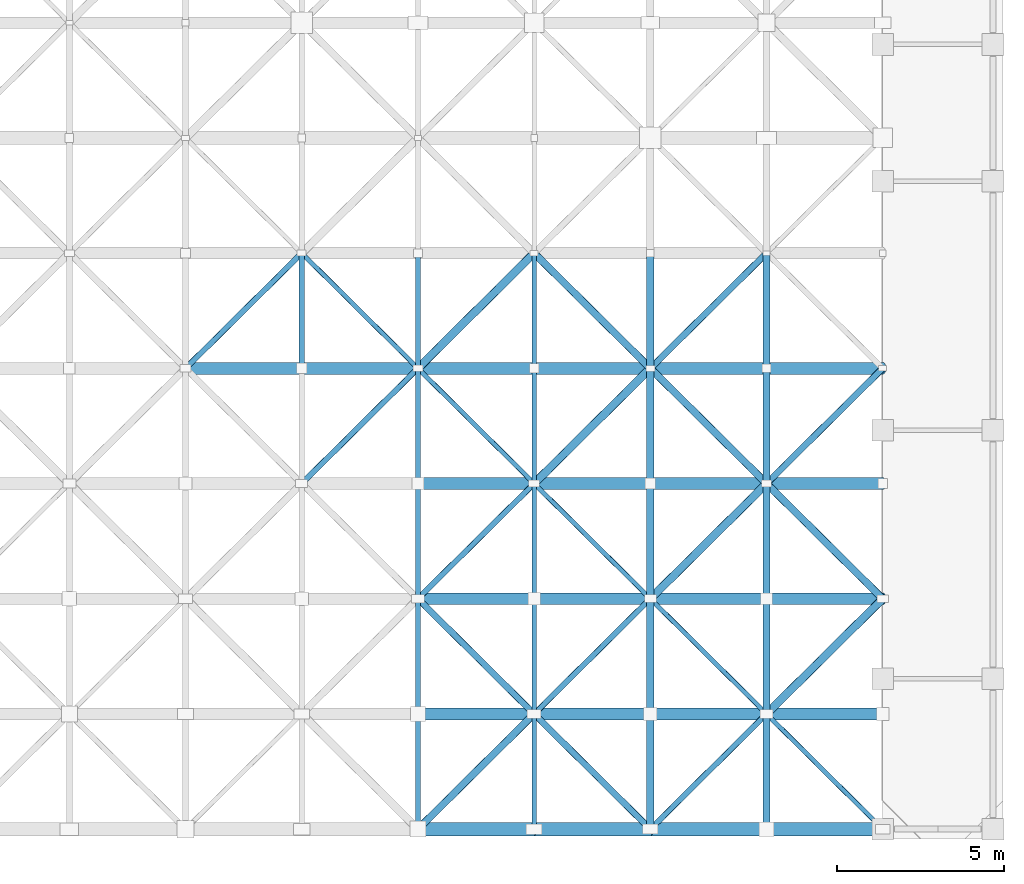
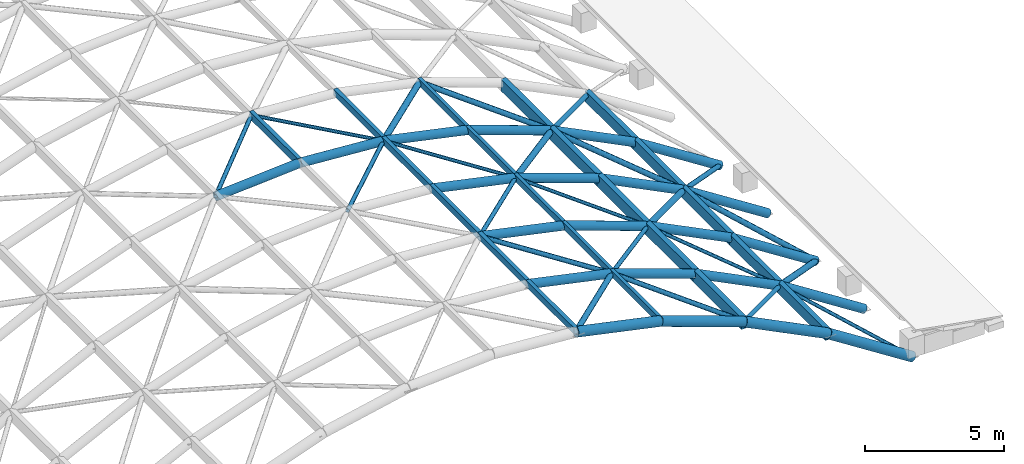
# One storey, part 21 of 52: 65 members.
"""IFC4 building model written with IfcOpenShell, lengths in metres."""

import ifcopenshell
import ifcopenshell.guid

model = None  # the IFC model being written
_history = None  # IfcOwnerHistory: only IFC2X3 demands one
_inside = {}  # id of a spatial element -> (the spatial element, [elements in it])
_under = {}  # id of a project, library or spatial element -> (it, [spatial elements below it])
_declared = {}  # id of a project -> (the project, [libraries it declares])
_typed = {}  # id of a type object -> (the type object, [elements of that type])
_made_of = {}  # id of a material, layer set ... -> (it, [elements and type objects made of it])


def new_model(schema):
    """Start an empty IFC model of exactly this schema.

    Asked for "IFC4X3", IfcOpenShell would pick the latest addendum, in which some entities
    have other attributes; the version numbers below select the first issue.
    IFC2X3 requires an IfcOwnerHistory on every rooted entity: one is made here for all.
    """
    global model, _history
    if schema == "IFC4X3":
        model = ifcopenshell.file(schema_version=(4, 3, 0, 0))
    else:
        model = ifcopenshell.file(schema=schema)
    _inside.clear()
    _under.clear()
    _declared.clear()
    _typed.clear()
    _made_of.clear()
    _history = None
    if model.schema == "IFC2X3":
        org = make("IfcOrganization", Name="unknown")
        user = make(
            "IfcPersonAndOrganization",
            ThePerson=make("IfcPerson", FamilyName="unknown"),
            TheOrganization=org,
        )
        app = make(
            "IfcApplication",
            ApplicationDeveloper=org,
            Version="unknown",
            ApplicationFullName="unknown",
            ApplicationIdentifier="unknown",
        )
        _history = make(
            "IfcOwnerHistory",
            OwningUser=user,
            OwningApplication=app,
            ChangeAction="ADDED",
            CreationDate=0,
        )
    return model


def make(cls, **values):
    """One entity of the class cls with the attributes given. An attribute that is None is left unset."""
    return model.create_entity(
        cls, **{name: value for name, value in values.items() if value is not None}
    )


def rooted(cls, **values):
    """An entity with a GlobalId (a new one), such as an element, a storey or a relation."""
    return make(cls, GlobalId=ifcopenshell.guid.new(), OwnerHistory=_history, **values)


def si_unit(unit_type, name, prefix=None):
    """IfcSIUnit, for example si_unit("LENGTHUNIT", "METRE", prefix="MILLI")."""
    return make("IfcSIUnit", UnitType=unit_type, Prefix=prefix, Name=name)


def assignment(units):
    """IfcUnitAssignment: the units of a project."""
    return None if units is None else make("IfcUnitAssignment", Units=units)


def point(xyz):
    """IfcCartesianPoint."""
    return None if xyz is None else make("IfcCartesianPoint", Coordinates=xyz)


def direction(xyz):
    """IfcDirection."""
    return None if xyz is None else make("IfcDirection", DirectionRatios=xyz)


def frame(location, z_axis=None, x_axis=None):
    """IfcAxis2Placement3D, a coordinate frame: its origin and axes. An axis left out is left unset."""
    return make(
        "IfcAxis2Placement3D",
        Location=point(location),
        Axis=direction(z_axis),
        RefDirection=direction(x_axis),
    )


def frame_2d(location, x_axis=None):
    """IfcAxis2Placement2D, a coordinate frame in the plane: its origin and x axis."""
    return make(
        "IfcAxis2Placement2D", Location=point(location), RefDirection=direction(x_axis)
    )


def origin():
    """The frame at (0, 0, 0) with its axes left unset."""
    return frame((0.0, 0.0, 0.0))


def origin_2d():
    """The frame at (0, 0) in the plane with its x axis left unset."""
    return frame_2d((0.0, 0.0))


def place(relative_to, where):
    """IfcLocalPlacement: puts the frame where relative to a parent placement (None: the world)."""
    return make(
        "IfcLocalPlacement", PlacementRelTo=relative_to, RelativePlacement=where
    )


def context(
    kind, dimensions, precision=None, world=None, true_north=None, identifier=None
):
    """IfcGeometricRepresentationContext, for example the 3D "Model" context."""
    return make(
        "IfcGeometricRepresentationContext",
        ContextIdentifier=identifier,
        ContextType=kind,
        CoordinateSpaceDimension=dimensions,
        Precision=precision,
        WorldCoordinateSystem=world,
        TrueNorth=true_north,
    )


def subcontext(parent, identifier, kind, view, scale=None):
    """IfcGeometricRepresentationSubContext, for example "Body" below "Model"."""
    return make(
        "IfcGeometricRepresentationSubContext",
        ContextIdentifier=identifier,
        ContextType=kind,
        ParentContext=parent,
        TargetScale=scale,
        TargetView=view,
    )


def project(units=None, contexts=None):
    """IfcProject with its units and contexts."""
    return rooted(
        "IfcProject",
        Name="project",
        RepresentationContexts=contexts,
        UnitsInContext=assignment(units),
    )


def spatial(cls, under=None, at=None, **own):
    """A site, building, storey or space (cls), placed at a placement, below another one or the project."""
    s = rooted(cls, ObjectPlacement=at, **own)
    if under is not None:
        _under.setdefault(under.id(), (under, []))[1].append(s)
    return s


def profile(cls, at=None, kind="AREA", **sizes):
    """A parametric profile (cls). Its sizes go by their IFC names, for example OverallWidth=200.0."""
    return make(cls, ProfileType=kind, Position=at, **sizes)


def rectangle(**sizes):
    """IfcRectangleProfileDef."""
    return profile("IfcRectangleProfileDef", **sizes)


def hollow_circle(**sizes):
    """IfcCircleHollowProfileDef."""
    return profile("IfcCircleHollowProfileDef", **sizes)


def extrude(swept, where, along, depth):
    """IfcExtrudedAreaSolid: the profile swept, set in the frame where, extruded along a direction by depth."""
    return make(
        "IfcExtrudedAreaSolid",
        SweptArea=swept,
        Position=where,
        ExtrudedDirection=direction(along),
        Depth=depth,
    )


def shape(context_of_items, identifier, shape_type, items):
    """IfcShapeRepresentation: the items that make up one representation, for example the "Body"."""
    return make(
        "IfcShapeRepresentation",
        ContextOfItems=context_of_items,
        RepresentationIdentifier=identifier,
        RepresentationType=shape_type,
        Items=items,
    )


def material(Name=None, Category=None):
    """IfcMaterial."""
    return make("IfcMaterial", Name=Name, Category=Category)


def material_profile(
    of_material, cross_section, Name=None, Category=None, Priority=None
):
    """IfcMaterialProfile: a cross section and its material."""
    return make(
        "IfcMaterialProfile",
        Name=Name,
        Material=of_material,
        Profile=cross_section,
        Priority=Priority,
        Category=Category,
    )


def profile_set(profiles, Name=None, composite=None):
    """IfcMaterialProfileSet."""
    return make(
        "IfcMaterialProfileSet",
        Name=Name,
        MaterialProfiles=profiles,
        CompositeProfile=composite,
    )


def made_of(thing, what):
    """Note that an element or type object is made of a material, layer set ...; save() writes the relation."""
    if what is not None:
        _made_of.setdefault(what.id(), (what, []))[1].append(thing)
    return thing


def type_object(cls, material=None, **own):
    """A type object (cls), such as IfcWallType, which elements share."""
    return made_of(rooted(cls, **own), material)


def element(
    cls,
    number,
    at=None,
    inside=None,
    cuts=None,
    type_object=None,
    material=None,
    context=None,
    identifier="Body",
    shape_type=None,
    held_by="IfcProductDefinitionShape",
    body=None,
    shapes=None,
    **own,
):
    """One element of the class cls, such as IfcWall. Its Tag is "e" and its number.

    at: its placement. inside: the storey or other place that contains it. cuts: it is an
    opening in that element (IfcRelVoidsElement). A single representation is given by context,
    identifier, shape_type and body (its items); several are given by shapes. held_by: the class
    of the entity that holds the representations. save() writes the other relations.
    """
    e = rooted(cls, Tag="e%d" % number, ObjectPlacement=at, **own)
    if body is not None:
        shapes = [shape(context, identifier, shape_type, body)]
    if shapes is not None:
        e.Representation = make(held_by, Representations=shapes)
    if inside is not None:
        _inside.setdefault(inside.id(), (inside, []))[1].append(e)
    if cuts is not None:
        rooted(
            "IfcRelVoidsElement", RelatingBuildingElement=cuts, RelatedOpeningElement=e
        )
    if type_object is not None:
        _typed.setdefault(type_object.id(), (type_object, []))[1].append(e)
    return made_of(e, material)


def aggregate(whole, parts):
    """IfcRelAggregates: a whole, such as a stair, and the parts it consists of."""
    return rooted("IfcRelAggregates", RelatingObject=whole, RelatedObjects=parts)


def save(model, path):
    """Write the relations noted so far, then the file.

    IfcRelAggregates (storeys below a building ...), IfcRelContainedInSpatialStructure (elements
    in a storey), IfcRelDefinesByType, IfcRelAssociatesMaterial and IfcRelDeclares: one each for
    every whole, place, type object, material and project.
    """
    for whole, parts in _under.values():
        aggregate(whole, parts)
    for where, things in _inside.values():
        rooted(
            "IfcRelContainedInSpatialStructure",
            RelatedElements=things,
            RelatingStructure=where,
        )
    for kind, things in _typed.values():
        rooted("IfcRelDefinesByType", RelatedObjects=things, RelatingType=kind)
    for what, things in _made_of.values():
        rooted("IfcRelAssociatesMaterial", RelatedObjects=things, RelatingMaterial=what)
    for by, libraries in _declared.values():
        rooted("IfcRelDeclares", RelatingContext=by, RelatedDefinitions=libraries)
    model.write(path)


model = new_model("IFC4")

# Units and contexts
model_context = context("Model", 3, precision=1e-05, world=origin(), true_north=direction((0.0, 1.0)))
body_context = subcontext(model_context, "Body", "Model", "MODEL_VIEW")
ifc_project = project(units=[si_unit("LENGTHUNIT", "METRE"), si_unit("AREAUNIT", "SQUARE_METRE"), si_unit("VOLUMEUNIT", "CUBIC_METRE"), si_unit("PLANEANGLEUNIT", "RADIAN"), si_unit("MASSUNIT", "GRAM", prefix="KILO")], contexts=[model_context])

# Site, building, storey
site_placement = place(None, origin())
site = spatial("IfcSite", under=ifc_project, at=site_placement, CompositionType="ELEMENT")
building_placement = place(site_placement, origin())
building = spatial("IfcBuilding", under=site, at=building_placement, Name="Candilejo Ridge Gondola Terminal", CompositionType="ELEMENT")
storey_placement = place(building_placement, frame((0.0, 0.0, 18.60009765625)))
storey = spatial("IfcBuildingStorey", under=building, at=storey_placement, Name="L04", CompositionType="ELEMENT", Elevation=18.60009765625)

# Members
ifc_material_1 = material(Name="Steel ASTM A500 Grade C", Category="steel")
ifc_material_profile_1 = material_profile(ifc_material_1, hollow_circle(Radius=0.06982421875, WallThickness=0.00634765625, at=origin_2d()))
ifc_profile_set_1 = profile_set([ifc_material_profile_1], Name="Steel ASTM A500 Grade C")
member_type_1 = type_object("IfcMemberType", Name="STR-BRC-CHS140", PredefinedType="BRACE", material=ifc_profile_set_1)
member_1_placement = place(storey_placement, frame((172.0, 6.300048828125, -0.2001953125), z_axis=(-0.646271368564, 0.640694591636, 0.414540418323), x_axis=(-0.704036083414, -0.710164201612, 0.0)))
element("IfcMember", 1, at=member_1_placement, inside=storey, type_object=member_type_1, Name="Barrel diagrid diagonal 01-10", PredefinedType="BRACE", context=body_context, shape_type="SweptSolid", body=[
    extrude(hollow_circle(Radius=0.06982421875, WallThickness=0.00634765625, at=origin_2d()), origin(), (0.0, 0.0, 1.0), 5.384765625),
])
member_2_placement = place(storey_placement, frame((168.52001953125, 9.75, 2.031982421875), z_axis=(-0.669405688246, 0.663629281647, 0.333904478983), x_axis=(-0.704036083414, -0.710164201612, 0.0)))
element("IfcMember", 2, at=member_2_placement, inside=storey, type_object=member_type_1, Name="Barrel diagrid diagonal 02-09", PredefinedType="BRACE", context=body_context, shape_type="SweptSolid", body=[
    extrude(hollow_circle(Radius=0.06982421875, WallThickness=0.00634765625, at=origin_2d()), origin(), (0.0, 0.0, 1.0), 5.19873046875),
])
member_3_placement = place(storey_placement, frame((165.0400390625, 13.199951171875, 3.767822265625), z_axis=(-0.688464148289, 0.682523283252, 0.24531425629), x_axis=(-0.704036083414, -0.710164201612, 0.0)))
element("IfcMember", 3, at=member_3_placement, inside=storey, type_object=member_type_1, Name="Barrel diagrid diagonal 03-08", PredefinedType="BRACE", context=body_context, shape_type="SweptSolid", body=[
    extrude(hollow_circle(Radius=0.06982421875, WallThickness=0.00634765625, at=origin_2d()), origin(), (0.0, 0.0, 1.0), 5.0546875),
])
member_4_placement = place(storey_placement, frame((161.56005859375, 16.64990234375, 5.0078125), z_axis=(-0.702090616131, 0.696081421858, 0.150131345445), x_axis=(-0.70406120903, -0.710139291927, 0.0)))
element("IfcMember", 4, at=member_4_placement, inside=storey, type_object=member_type_1, Name="Barrel diagrid diagonal 04-07", PredefinedType="BRACE", context=body_context, shape_type="SweptSolid", body=[
    extrude(hollow_circle(Radius=0.06982421875, WallThickness=0.00634765625, at=origin_2d()), origin(), (0.0, 0.0, 1.0), 4.95654296875),
])
member_5_placement = place(storey_placement, frame((158.080078125, 20.10009765625, 5.751953125), z_axis=(-0.709256116362, 0.703135834174, 0.050554526043), x_axis=(-0.704036083414, -0.710164201612, 0.0)))
element("IfcMember", 5, at=member_5_placement, inside=storey, type_object=member_type_1, Name="Barrel diagrid diagonal 05-06", PredefinedType="BRACE", context=body_context, shape_type="SweptSolid", body=[
    extrude(hollow_circle(Radius=0.06982421875, WallThickness=0.00634765625, at=origin_2d()), origin(), (0.0, 0.0, 1.0), 4.906494140625),
])
ifc_material_2 = material(Name="Steel ASTM A500 Grade C", Category="steel")
ifc_material_profile_2 = material_profile(ifc_material_2, hollow_circle(Radius=0.084228515625, WallThickness=0.007080078125, at=origin_2d()))
ifc_profile_set_2 = profile_set([ifc_material_profile_2], Name="Steel ASTM A500 Grade C")
member_type_2 = type_object("IfcMemberType", Name="STR-BRC-CHS168", PredefinedType="BRACE", material=ifc_profile_set_2)
member_6_placement = place(storey_placement, frame((165.0400390625, 6.300048828125, 3.767822265625), z_axis=(0.669405688246, 0.663629281647, -0.333904478983), x_axis=(-0.704036083414, 0.710164201612, 0.0)))
element("IfcMember", 6, at=member_6_placement, inside=storey, type_object=member_type_2, Name="Barrel diagrid diagonal 01-09", PredefinedType="BRACE", context=body_context, shape_type="SweptSolid", body=[
    extrude(hollow_circle(Radius=0.084228515625, WallThickness=0.007080078125, at=origin_2d()), origin(), (0.0, 0.0, 1.0), 5.19873046875),
])
member_7_placement = place(storey_placement, frame((161.56005859375, 9.75, 5.0078125), z_axis=(0.688464148289, 0.682523283252, -0.24531425629), x_axis=(-0.704036083414, 0.710164201612, 0.0)))
element("IfcMember", 7, at=member_7_placement, inside=storey, type_object=member_type_2, Name="Barrel diagrid diagonal 02-08", PredefinedType="BRACE", context=body_context, shape_type="SweptSolid", body=[
    extrude(hollow_circle(Radius=0.084228515625, WallThickness=0.007080078125, at=origin_2d()), origin(), (0.0, 0.0, 1.0), 5.0546875),
])
member_8_placement = place(storey_placement, frame((158.080078125, 13.199951171875, 5.751953125), z_axis=(0.702114688376, 0.696056030689, -0.150136492926), x_axis=(-0.704036083414, 0.710164201612, 0.0)))
element("IfcMember", 8, at=member_8_placement, inside=storey, type_object=member_type_2, Name="Barrel diagrid diagonal 03-07", PredefinedType="BRACE", context=body_context, shape_type="SweptSolid", body=[
    extrude(hollow_circle(Radius=0.084228515625, WallThickness=0.007080078125, at=origin_2d()), origin(), (0.0, 0.0, 1.0), 4.95654296875),
])
member_9_placement = place(storey_placement, frame((154.60009765625, 16.64990234375, 6.0), z_axis=(0.709231302108, 0.703160990696, -0.050552757327), x_axis=(-0.70406120903, 0.710139291927, 0.0)))
element("IfcMember", 9, at=member_9_placement, inside=storey, type_object=member_type_2, Name="Barrel diagrid diagonal 04-06", PredefinedType="BRACE", context=body_context, shape_type="SweptSolid", body=[
    extrude(hollow_circle(Radius=0.084228515625, WallThickness=0.007080078125, at=origin_2d()), origin(), (0.0, 0.0, 1.0), 4.90673828125),
])
member_10_placement = place(storey_placement, frame((151.1201171875, 20.10009765625, 5.751953125), z_axis=(0.709256116362, 0.703135834174, 0.050554526043), x_axis=(-0.704036083414, 0.710164201612, 0.0)))
element("IfcMember", 10, at=member_10_placement, inside=storey, type_object=member_type_2, Name="Barrel diagrid diagonal 05-05", PredefinedType="BRACE", context=body_context, shape_type="SweptSolid", body=[
    extrude(hollow_circle(Radius=0.084228515625, WallThickness=0.007080078125, at=origin_2d()), origin(), (0.0, 0.0, 1.0), 4.906494140625),
])
ifc_material_3 = material(Name="Steel ASTM A500 Grade C", Category="steel")
ifc_material_profile_3 = material_profile(ifc_material_3, hollow_circle(Radius=0.096923828125, WallThickness=0.0078125, at=origin_2d()))
ifc_profile_set_3 = profile_set([ifc_material_profile_3], Name="Steel ASTM A500 Grade C")
member_type_3 = type_object("IfcMemberType", Name="STR-BRC-CHS193", PredefinedType="BRACE", material=ifc_profile_set_3)
member_11_placement = place(storey_placement, frame((165.0400390625, 6.300048828125, 3.767822265625), z_axis=(-0.688464148289, 0.682523283252, 0.24531425629), x_axis=(-0.704036083414, -0.710164201612, 0.0)))
element("IfcMember", 11, at=member_11_placement, inside=storey, type_object=member_type_3, Name="Barrel diagrid diagonal 01-08", PredefinedType="BRACE", context=body_context, shape_type="SweptSolid", body=[
    extrude(hollow_circle(Radius=0.096923828125, WallThickness=0.0078125, at=origin_2d()), origin(), (0.0, 0.0, 1.0), 5.0546875),
])
member_12_placement = place(storey_placement, frame((161.56005859375, 9.75, 5.0078125), z_axis=(-0.702114688376, 0.696056030689, 0.150136492926), x_axis=(-0.704036083414, -0.710164201612, 0.0)))
element("IfcMember", 12, at=member_12_placement, inside=storey, type_object=member_type_3, Name="Barrel diagrid diagonal 02-07", PredefinedType="BRACE", context=body_context, shape_type="SweptSolid", body=[
    extrude(hollow_circle(Radius=0.096923828125, WallThickness=0.0078125, at=origin_2d()), origin(), (0.0, 0.0, 1.0), 4.95654296875),
])
member_13_placement = place(storey_placement, frame((168.52001953125, 16.64990234375, 2.031982421875), z_axis=(0.646252595266, 0.640721318668, -0.414528376492), x_axis=(-0.70406120903, 0.710139291927, 0.0)))
element("IfcMember", 13, at=member_13_placement, inside=storey, type_object=member_type_3, Name="Barrel diagrid diagonal 04-10", PredefinedType="BRACE", context=body_context, shape_type="SweptSolid", body=[
    extrude(hollow_circle(Radius=0.096923828125, WallThickness=0.0078125, at=origin_2d()), origin(), (0.0, 0.0, 1.0), 5.384765625),
])
member_14_placement = place(storey_placement, frame((165.0400390625, 20.10009765625, 3.767822265625), z_axis=(0.669405688246, 0.663629281647, -0.333904478983), x_axis=(-0.704036083414, 0.710164201612, 0.0)))
element("IfcMember", 14, at=member_14_placement, inside=storey, type_object=member_type_3, Name="Barrel diagrid diagonal 05-09", PredefinedType="BRACE", context=body_context, shape_type="SweptSolid", body=[
    extrude(hollow_circle(Radius=0.096923828125, WallThickness=0.0078125, at=origin_2d()), origin(), (0.0, 0.0, 1.0), 5.19873046875),
])
ifc_material_4 = material(Name="Steel ASTM A500 Grade C", Category="steel")
ifc_material_profile_4 = material_profile(ifc_material_4, hollow_circle(Radius=0.109619140625, WallThickness=0.00830078125, at=origin_2d()))
ifc_profile_set_4 = profile_set([ifc_material_profile_4], Name="Steel ASTM A500 Grade C")
member_type_4 = type_object("IfcMemberType", Name="STR-BRC-CHS219", PredefinedType="BRACE", material=ifc_profile_set_4)
member_15_placement = place(storey_placement, frame((158.080078125, 6.300048828125, 5.751953125), z_axis=(0.702114688376, 0.696056030689, -0.150136492926), x_axis=(-0.704036083414, 0.710164201612, 0.0)))
element("IfcMember", 15, at=member_15_placement, inside=storey, type_object=member_type_4, Name="Barrel diagrid diagonal 01-07", PredefinedType="BRACE", context=body_context, shape_type="SweptSolid", body=[
    extrude(hollow_circle(Radius=0.109619140625, WallThickness=0.00830078125, at=origin_2d()), origin(), (0.0, 0.0, 1.0), 4.95654296875),
])
member_16_placement = place(storey_placement, frame((172.0, 13.199951171875, -0.2001953125), z_axis=(-0.646271368564, 0.640694591636, 0.414540418323), x_axis=(-0.704036083414, -0.710164201612, 0.0)))
element("IfcMember", 16, at=member_16_placement, inside=storey, type_object=member_type_4, Name="Barrel diagrid diagonal 03-10", PredefinedType="BRACE", context=body_context, shape_type="SweptSolid", body=[
    extrude(hollow_circle(Radius=0.109619140625, WallThickness=0.00830078125, at=origin_2d()), origin(), (0.0, 0.0, 1.0), 5.384765625),
])
member_17_placement = place(storey_placement, frame((168.52001953125, 16.64990234375, 2.031982421875), z_axis=(-0.669384825923, 0.663655560541, 0.333894072704), x_axis=(-0.70406120903, -0.710139291927, 0.0)))
element("IfcMember", 17, at=member_17_placement, inside=storey, type_object=member_type_4, Name="Barrel diagrid diagonal 04-09", PredefinedType="BRACE", context=body_context, shape_type="SweptSolid", body=[
    extrude(hollow_circle(Radius=0.109619140625, WallThickness=0.00830078125, at=origin_2d()), origin(), (0.0, 0.0, 1.0), 5.19873046875),
])
member_18_placement = place(storey_placement, frame((165.0400390625, 20.10009765625, 3.767822265625), z_axis=(-0.688464148289, 0.682523283252, 0.24531425629), x_axis=(-0.704036083414, -0.710164201612, 0.0)))
element("IfcMember", 18, at=member_18_placement, inside=storey, type_object=member_type_4, Name="Barrel diagrid diagonal 05-08", PredefinedType="BRACE", context=body_context, shape_type="SweptSolid", body=[
    extrude(hollow_circle(Radius=0.109619140625, WallThickness=0.00830078125, at=origin_2d()), origin(), (0.0, 0.0, 1.0), 5.0546875),
])
ifc_material_5 = material(Name="Steel ASTM A500 Grade C", Category="steel")
ifc_material_profile_5 = material_profile(ifc_material_5, hollow_circle(Radius=0.122314453125, WallThickness=0.0087890625, at=origin_2d()))
ifc_profile_set_5 = profile_set([ifc_material_profile_5], Name="Steel ASTM A500 Grade C")
member_type_5 = type_object("IfcMemberType", Name="STR-BRC-CHS244", PredefinedType="BRACE", material=ifc_profile_set_5)
member_19_placement = place(storey_placement, frame((168.52001953125, 9.75, 2.031982421875), z_axis=(0.646271368564, 0.640694591636, -0.414540418323), x_axis=(-0.704036083414, 0.710164201612, 0.0)))
element("IfcMember", 19, at=member_19_placement, inside=storey, type_object=member_type_5, Name="Barrel diagrid diagonal 02-10", PredefinedType="BRACE", context=body_context, shape_type="SweptSolid", body=[
    extrude(hollow_circle(Radius=0.122314453125, WallThickness=0.0087890625, at=origin_2d()), origin(), (0.0, 0.0, 1.0), 5.384765625),
])
member_20_placement = place(storey_placement, frame((165.0400390625, 13.199951171875, 3.767822265625), z_axis=(0.669405688246, 0.663629281647, -0.333904478983), x_axis=(-0.704036083414, 0.710164201612, 0.0)))
element("IfcMember", 20, at=member_20_placement, inside=storey, type_object=member_type_5, Name="Barrel diagrid diagonal 03-09", PredefinedType="BRACE", context=body_context, shape_type="SweptSolid", body=[
    extrude(hollow_circle(Radius=0.122314453125, WallThickness=0.0087890625, at=origin_2d()), origin(), (0.0, 0.0, 1.0), 5.19873046875),
])
member_21_placement = place(storey_placement, frame((161.56005859375, 16.64990234375, 5.0078125), z_axis=(0.688441452919, 0.682549081848, -0.245306169453), x_axis=(-0.70406120903, 0.710139291927, 0.0)))
element("IfcMember", 21, at=member_21_placement, inside=storey, type_object=member_type_5, Name="Barrel diagrid diagonal 04-08", PredefinedType="BRACE", context=body_context, shape_type="SweptSolid", body=[
    extrude(hollow_circle(Radius=0.122314453125, WallThickness=0.0087890625, at=origin_2d()), origin(), (0.0, 0.0, 1.0), 5.054931640625),
])
member_22_placement = place(storey_placement, frame((158.080078125, 20.10009765625, 5.751953125), z_axis=(0.702114688376, 0.696056030689, -0.150136492926), x_axis=(-0.704036083414, 0.710164201612, 0.0)))
element("IfcMember", 22, at=member_22_placement, inside=storey, type_object=member_type_5, Name="Barrel diagrid diagonal 05-07", PredefinedType="BRACE", context=body_context, shape_type="SweptSolid", body=[
    extrude(hollow_circle(Radius=0.122314453125, WallThickness=0.0087890625, at=origin_2d()), origin(), (0.0, 0.0, 1.0), 4.95654296875),
])
ifc_material_6 = material(Name="Glulam GL28h", Category="wood")
ifc_material_profile_6 = material_profile(ifc_material_6, rectangle(XDim=0.139892578125, YDim=0.280029296875, at=origin_2d()))
ifc_profile_set_6 = profile_set([ifc_material_profile_6], Name="Glulam GL28h")
member_type_6 = type_object("IfcMemberType", Name="STR-PUR-GL140X280", PredefinedType="PURLIN", material=ifc_profile_set_6)
for number, where, z_axis, x_axis, name in (
    (23, (161.56005859375, 6.300048828125, 5.06787109375), (0.0, 1.0, 0.0), (-1.0, 0.0, 0.0), "Glulam roof purlin 01-07"),
    (24, (161.56005859375, 9.75, 5.06787109375), (0.0, 1.0, 0.0), (-1.0, 0.0, 0.0), "Glulam roof purlin 02-07"),
    (25, (161.56005859375, 13.199951171875, 5.06787109375), (0.0, 1.0, 0.0), (-1.0, 0.0, 0.0), "Glulam roof purlin 03-07"),
):
    element("IfcMember", number, at=place(storey_placement, frame(where, z_axis=z_axis, x_axis=x_axis)), inside=storey, type_object=member_type_6, Name=name, PredefinedType="PURLIN", context=body_context, shape_type="SweptSolid", body=[
        extrude(rectangle(XDim=0.139892578125, YDim=0.280029296875, at=origin_2d()), origin(), (0.0, 0.0, 1.0), 3.449951171875),
    ])
member_23_placement = place(storey_placement, frame((161.56005859375, 16.64990234375, 5.06787109375), z_axis=(0.0, 1.0, 0.0), x_axis=(-1.0, 0.0, 0.0)))
element("IfcMember", 26, at=member_23_placement, inside=storey, type_object=member_type_6, Name="Glulam roof purlin 04-07", PredefinedType="PURLIN", context=body_context, shape_type="SweptSolid", body=[
    extrude(rectangle(XDim=0.139892578125, YDim=0.280029296875, at=origin_2d()), origin(), (0.0, 0.0, 1.0), 3.4501953125),
])
member_24_placement = place(storey_placement, frame((161.56005859375, 20.10009765625, 5.06787109375), z_axis=(0.0, 1.0, 0.0), x_axis=(-1.0, 0.0, 0.0)))
element("IfcMember", 27, at=member_24_placement, inside=storey, type_object=member_type_6, Name="Glulam roof purlin 05-07", PredefinedType="PURLIN", context=body_context, shape_type="SweptSolid", body=[
    extrude(rectangle(XDim=0.139892578125, YDim=0.280029296875, at=origin_2d()), origin(), (0.0, 0.0, 1.0), 3.449951171875),
])
ifc_material_7 = material(Name="Glulam GL28h", Category="wood")
ifc_material_profile_7 = material_profile(ifc_material_7, rectangle(XDim=0.159912109375, YDim=0.280029296875, at=origin_2d()))
ifc_profile_set_7 = profile_set([ifc_material_profile_7], Name="Glulam GL28h")
member_type_7 = type_object("IfcMemberType", Name="STR-PUR-GL160X280", PredefinedType="PURLIN", material=ifc_profile_set_7)
for number, where, z_axis, x_axis, name in (
    (28, (158.080078125, 6.300048828125, 5.81201171875), (0.0, 1.0, 0.0), (-1.0, 0.0, 0.0), "Glulam roof purlin 01-06"),
    (29, (158.080078125, 9.75, 5.81201171875), (0.0, 1.0, 0.0), (-1.0, 0.0, 0.0), "Glulam roof purlin 02-06"),
    (30, (158.080078125, 13.199951171875, 5.81201171875), (0.0, 1.0, 0.0), (-1.0, 0.0, 0.0), "Glulam roof purlin 03-06"),
):
    element("IfcMember", number, at=place(storey_placement, frame(where, z_axis=z_axis, x_axis=x_axis)), inside=storey, type_object=member_type_7, Name=name, PredefinedType="PURLIN", context=body_context, shape_type="SweptSolid", body=[
        extrude(rectangle(XDim=0.159912109375, YDim=0.280029296875, at=origin_2d()), origin(), (0.0, 0.0, 1.0), 3.449951171875),
    ])
member_25_placement = place(storey_placement, frame((158.080078125, 16.64990234375, 5.81201171875), z_axis=(0.0, 1.0, 0.0), x_axis=(-1.0, 0.0, 0.0)))
element("IfcMember", 31, at=member_25_placement, inside=storey, type_object=member_type_7, Name="Glulam roof purlin 04-06", PredefinedType="PURLIN", context=body_context, shape_type="SweptSolid", body=[
    extrude(rectangle(XDim=0.159912109375, YDim=0.280029296875, at=origin_2d()), origin(), (0.0, 0.0, 1.0), 3.4501953125),
])
member_26_placement = place(storey_placement, frame((158.080078125, 20.10009765625, 5.81201171875), z_axis=(0.0, 1.0, 0.0), x_axis=(-1.0, 0.0, 0.0)))
element("IfcMember", 32, at=member_26_placement, inside=storey, type_object=member_type_7, Name="Glulam roof purlin 05-06", PredefinedType="PURLIN", context=body_context, shape_type="SweptSolid", body=[
    extrude(rectangle(XDim=0.159912109375, YDim=0.280029296875, at=origin_2d()), origin(), (0.0, 0.0, 1.0), 3.449951171875),
])
ifc_material_8 = material(Name="Glulam GL28h", Category="wood")
ifc_material_profile_8 = material_profile(ifc_material_8, rectangle(XDim=0.159912109375, YDim=0.320068359375, at=origin_2d()))
ifc_profile_set_8 = profile_set([ifc_material_profile_8], Name="Glulam GL28h")
member_type_8 = type_object("IfcMemberType", Name="STR-PUR-GL160X320", PredefinedType="PURLIN", material=ifc_profile_set_8)
member_27_placement = place(storey_placement, frame((154.60009765625, 20.10009765625, 6.039794921875), z_axis=(0.0, 1.0, 0.0), x_axis=(-1.0, 0.0, 0.0)))
element("IfcMember", 33, at=member_27_placement, inside=storey, type_object=member_type_8, Name="Glulam roof purlin 05-05", PredefinedType="PURLIN", context=body_context, shape_type="SweptSolid", body=[
    extrude(rectangle(XDim=0.159912109375, YDim=0.320068359375, at=origin_2d()), origin(), (0.0, 0.0, 1.0), 3.449951171875),
])
ifc_material_9 = material(Name="Glulam GL28h", Category="wood")
ifc_material_profile_9 = material_profile(ifc_material_9, rectangle(XDim=0.199951171875, YDim=0.47998046875, at=origin_2d()))
ifc_profile_set_9 = profile_set([ifc_material_profile_9], Name="Glulam GL28h")
member_type_9 = type_object("IfcMemberType", Name="STR-PUR-GL200X480", PredefinedType="PURLIN", material=ifc_profile_set_9)
for number, where, z_axis, x_axis, name in (
    (34, (168.52001953125, 6.300048828125, 1.991943359375), (0.0, 1.0, 0.0), (-1.0, 0.0, 0.0), "Glulam roof purlin 01-09"),
    (35, (168.52001953125, 9.75, 1.991943359375), (0.0, 1.0, 0.0), (-1.0, 0.0, 0.0), "Glulam roof purlin 02-09"),
    (36, (168.52001953125, 13.199951171875, 1.991943359375), (0.0, 1.0, 0.0), (-1.0, 0.0, 0.0), "Glulam roof purlin 03-09"),
):
    element("IfcMember", number, at=place(storey_placement, frame(where, z_axis=z_axis, x_axis=x_axis)), inside=storey, type_object=member_type_9, Name=name, PredefinedType="PURLIN", context=body_context, shape_type="SweptSolid", body=[
        extrude(rectangle(XDim=0.199951171875, YDim=0.47998046875, at=origin_2d()), origin(), (0.0, 0.0, 1.0), 3.449951171875),
    ])
member_28_placement = place(storey_placement, frame((168.52001953125, 16.64990234375, 1.991943359375), z_axis=(0.0, 1.0, 0.0), x_axis=(-1.0, 0.0, 0.0)))
element("IfcMember", 37, at=member_28_placement, inside=storey, type_object=member_type_9, Name="Glulam roof purlin 04-09", PredefinedType="PURLIN", context=body_context, shape_type="SweptSolid", body=[
    extrude(rectangle(XDim=0.199951171875, YDim=0.47998046875, at=origin_2d()), origin(), (0.0, 0.0, 1.0), 3.4501953125),
])
member_29_placement = place(storey_placement, frame((168.52001953125, 20.10009765625, 1.991943359375), z_axis=(0.0, 1.0, 0.0), x_axis=(-1.0, 0.0, 0.0)))
element("IfcMember", 38, at=member_29_placement, inside=storey, type_object=member_type_9, Name="Glulam roof purlin 05-09", PredefinedType="PURLIN", context=body_context, shape_type="SweptSolid", body=[
    extrude(rectangle(XDim=0.199951171875, YDim=0.47998046875, at=origin_2d()), origin(), (0.0, 0.0, 1.0), 3.449951171875),
])
ifc_material_10 = material(Name="Glulam GL28h", Category="wood")
ifc_material_profile_10 = material_profile(ifc_material_10, rectangle(XDim=0.219970703125, YDim=0.52001953125, at=origin_2d()))
ifc_profile_set_10 = profile_set([ifc_material_profile_10], Name="Glulam GL28h")
member_type_10 = type_object("IfcMemberType", Name="STR-PUR-GL220X520", PredefinedType="PURLIN", material=ifc_profile_set_10)
for number, where, z_axis, x_axis, name in (
    (39, (165.0400390625, 6.300048828125, 3.7080078125), (0.0, 1.0, 0.0), (-1.0, 0.0, 0.0), "Glulam roof purlin 01-08"),
    (40, (165.0400390625, 9.75, 3.7080078125), (0.0, 1.0, 0.0), (-1.0, 0.0, 0.0), "Glulam roof purlin 02-08"),
    (41, (165.0400390625, 13.199951171875, 3.7080078125), (0.0, 1.0, 0.0), (-1.0, 0.0, 0.0), "Glulam roof purlin 03-08"),
):
    element("IfcMember", number, at=place(storey_placement, frame(where, z_axis=z_axis, x_axis=x_axis)), inside=storey, type_object=member_type_10, Name=name, PredefinedType="PURLIN", context=body_context, shape_type="SweptSolid", body=[
        extrude(rectangle(XDim=0.219970703125, YDim=0.52001953125, at=origin_2d()), origin(), (0.0, 0.0, 1.0), 3.449951171875),
    ])
member_30_placement = place(storey_placement, frame((165.0400390625, 16.64990234375, 3.7080078125), z_axis=(0.0, 1.0, 0.0), x_axis=(-1.0, 0.0, 0.0)))
element("IfcMember", 42, at=member_30_placement, inside=storey, type_object=member_type_10, Name="Glulam roof purlin 04-08", PredefinedType="PURLIN", context=body_context, shape_type="SweptSolid", body=[
    extrude(rectangle(XDim=0.219970703125, YDim=0.52001953125, at=origin_2d()), origin(), (0.0, 0.0, 1.0), 3.4501953125),
])
member_31_placement = place(storey_placement, frame((165.0400390625, 20.10009765625, 3.7080078125), z_axis=(0.0, 1.0, 0.0), x_axis=(-1.0, 0.0, 0.0)))
element("IfcMember", 43, at=member_31_placement, inside=storey, type_object=member_type_10, Name="Glulam roof purlin 05-08", PredefinedType="PURLIN", context=body_context, shape_type="SweptSolid", body=[
    extrude(rectangle(XDim=0.219970703125, YDim=0.52001953125, at=origin_2d()), origin(), (0.0, 0.0, 1.0), 3.449951171875),
])
ifc_material_11 = material(Name="Steel ASTM A500 Grade C", Category="steel")
ifc_material_profile_11 = material_profile(ifc_material_11, hollow_circle(Radius=0.177734375, WallThickness=0.0126953125, at=origin_2d()))
ifc_profile_set_11 = profile_set([ifc_material_profile_11], Name="Steel ASTM A500 Grade C")
member_type_11 = type_object("IfcMemberType", Name="STR-RAF-CHS356", PredefinedType="RAFTER", material=ifc_profile_set_11)
member_32_placement = place(storey_placement, frame((158.080078125, 9.75, 5.751953125), z_axis=(0.977892680686, 0.0, -0.209107400781), x_axis=(0.0, 1.0, 0.0)))
element("IfcMember", 44, at=member_32_placement, inside=storey, type_object=member_type_11, Name="Barrel diagrid arch rafter F02-07", PredefinedType="RAFTER", context=body_context, shape_type="SweptSolid", body=[
    extrude(hollow_circle(Radius=0.177734375, WallThickness=0.0126953125, at=origin_2d()), origin(), (0.0, 0.0, 1.0), 3.55859375),
])
member_33_placement = place(storey_placement, frame((161.56005859375, 9.75, 5.0078125), z_axis=(0.94198686652, 0.0, -0.335649733061), x_axis=(0.0, 1.0, 0.0)))
element("IfcMember", 45, at=member_33_placement, inside=storey, type_object=member_type_11, Name="Barrel diagrid arch rafter F02-08", PredefinedType="RAFTER", context=body_context, shape_type="SweptSolid", body=[
    extrude(hollow_circle(Radius=0.177734375, WallThickness=0.0126953125, at=origin_2d()), origin(), (0.0, 0.0, 1.0), 3.6943359375),
])
member_34_placement = place(storey_placement, frame((165.0400390625, 9.75, 3.767822265625), z_axis=(0.894853681561, 0.0, -0.446359595615), x_axis=(0.0, 1.0, 0.0)))
element("IfcMember", 46, at=member_34_placement, inside=storey, type_object=member_type_11, Name="Barrel diagrid arch rafter F02-09", PredefinedType="RAFTER", context=body_context, shape_type="SweptSolid", body=[
    extrude(hollow_circle(Radius=0.177734375, WallThickness=0.0126953125, at=origin_2d()), origin(), (0.0, 0.0, 1.0), 3.888916015625),
])
member_35_placement = place(storey_placement, frame((168.52001953125, 9.75, 2.031982421875), z_axis=(0.841722944164, 0.0, -0.539909701031), x_axis=(0.0, 1.0, 0.0)))
element("IfcMember", 47, at=member_35_placement, inside=storey, type_object=member_type_11, Name="Barrel diagrid arch rafter F02-10", PredefinedType="RAFTER", context=body_context, shape_type="SweptSolid", body=[
    extrude(hollow_circle(Radius=0.177734375, WallThickness=0.0126953125, at=origin_2d()), origin(), (0.0, 0.0, 1.0), 4.13427734375),
])
member_36_placement = place(storey_placement, frame((158.080078125, 13.199951171875, 5.751953125), z_axis=(0.977892680686, 0.0, -0.209107400781), x_axis=(0.0, 1.0, 0.0)))
element("IfcMember", 48, at=member_36_placement, inside=storey, type_object=member_type_11, Name="Barrel diagrid arch rafter F03-07", PredefinedType="RAFTER", context=body_context, shape_type="SweptSolid", body=[
    extrude(hollow_circle(Radius=0.177734375, WallThickness=0.0126953125, at=origin_2d()), origin(), (0.0, 0.0, 1.0), 3.55859375),
])
member_37_placement = place(storey_placement, frame((161.56005859375, 13.199951171875, 5.0078125), z_axis=(0.94198686652, 0.0, -0.335649733061), x_axis=(0.0, 1.0, 0.0)))
element("IfcMember", 49, at=member_37_placement, inside=storey, type_object=member_type_11, Name="Barrel diagrid arch rafter F03-08", PredefinedType="RAFTER", context=body_context, shape_type="SweptSolid", body=[
    extrude(hollow_circle(Radius=0.177734375, WallThickness=0.0126953125, at=origin_2d()), origin(), (0.0, 0.0, 1.0), 3.6943359375),
])
member_38_placement = place(storey_placement, frame((165.0400390625, 13.199951171875, 3.767822265625), z_axis=(0.894853681561, 0.0, -0.446359595615), x_axis=(0.0, 1.0, 0.0)))
element("IfcMember", 50, at=member_38_placement, inside=storey, type_object=member_type_11, Name="Barrel diagrid arch rafter F03-09", PredefinedType="RAFTER", context=body_context, shape_type="SweptSolid", body=[
    extrude(hollow_circle(Radius=0.177734375, WallThickness=0.0126953125, at=origin_2d()), origin(), (0.0, 0.0, 1.0), 3.888916015625),
])
member_39_placement = place(storey_placement, frame((168.52001953125, 13.199951171875, 2.031982421875), z_axis=(0.841722944164, 0.0, -0.539909701031), x_axis=(0.0, 1.0, 0.0)))
element("IfcMember", 51, at=member_39_placement, inside=storey, type_object=member_type_11, Name="Barrel diagrid arch rafter F03-10", PredefinedType="RAFTER", context=body_context, shape_type="SweptSolid", body=[
    extrude(hollow_circle(Radius=0.177734375, WallThickness=0.0126953125, at=origin_2d()), origin(), (0.0, 0.0, 1.0), 4.13427734375),
])
member_40_placement = place(storey_placement, frame((158.080078125, 16.64990234375, 5.751953125), z_axis=(0.977892680686, 0.0, -0.209107400781), x_axis=(0.0, 1.0, 0.0)))
element("IfcMember", 52, at=member_40_placement, inside=storey, type_object=member_type_11, Name="Barrel diagrid arch rafter F04-07", PredefinedType="RAFTER", context=body_context, shape_type="SweptSolid", body=[
    extrude(hollow_circle(Radius=0.177734375, WallThickness=0.0126953125, at=origin_2d()), origin(), (0.0, 0.0, 1.0), 3.55859375),
])
member_41_placement = place(storey_placement, frame((161.56005859375, 16.64990234375, 5.0078125), z_axis=(0.94198686652, 0.0, -0.335649733061), x_axis=(0.0, 1.0, 0.0)))
element("IfcMember", 53, at=member_41_placement, inside=storey, type_object=member_type_11, Name="Barrel diagrid arch rafter F04-08", PredefinedType="RAFTER", context=body_context, shape_type="SweptSolid", body=[
    extrude(hollow_circle(Radius=0.177734375, WallThickness=0.0126953125, at=origin_2d()), origin(), (0.0, 0.0, 1.0), 3.6943359375),
])
member_42_placement = place(storey_placement, frame((165.0400390625, 16.64990234375, 3.767822265625), z_axis=(0.894853681561, 0.0, -0.446359595615), x_axis=(0.0, 1.0, 0.0)))
element("IfcMember", 54, at=member_42_placement, inside=storey, type_object=member_type_11, Name="Barrel diagrid arch rafter F04-09", PredefinedType="RAFTER", context=body_context, shape_type="SweptSolid", body=[
    extrude(hollow_circle(Radius=0.177734375, WallThickness=0.0126953125, at=origin_2d()), origin(), (0.0, 0.0, 1.0), 3.888916015625),
])
member_43_placement = place(storey_placement, frame((168.52001953125, 16.64990234375, 2.031982421875), z_axis=(0.841722944164, 0.0, -0.539909701031), x_axis=(0.0, 1.0, 0.0)))
element("IfcMember", 55, at=member_43_placement, inside=storey, type_object=member_type_11, Name="Barrel diagrid arch rafter F04-10", PredefinedType="RAFTER", context=body_context, shape_type="SweptSolid", body=[
    extrude(hollow_circle(Radius=0.177734375, WallThickness=0.0126953125, at=origin_2d()), origin(), (0.0, 0.0, 1.0), 4.13427734375),
])
for number, where, z_axis, x_axis, name in (
    (56, (151.1201171875, 20.10009765625, 5.751953125), (0.997469345253, 0.0, 0.071097857077), (0.0, 1.0, 0.0), "Barrel diagrid arch rafter F05-05"),
    (57, (154.60009765625, 20.10009765625, 6.0), (0.997469345253, 0.0, -0.071097857077), (0.0, 1.0, 0.0), "Barrel diagrid arch rafter F05-06"),
):
    element("IfcMember", number, at=place(storey_placement, frame(where, z_axis=z_axis, x_axis=x_axis)), inside=storey, type_object=member_type_11, Name=name, PredefinedType="RAFTER", context=body_context, shape_type="SweptSolid", body=[
        extrude(hollow_circle(Radius=0.177734375, WallThickness=0.0126953125, at=origin_2d()), origin(), (0.0, 0.0, 1.0), 3.48876953125),
    ])
member_44_placement = place(storey_placement, frame((158.080078125, 20.10009765625, 5.751953125), z_axis=(0.977892680686, 0.0, -0.209107400781), x_axis=(0.0, 1.0, 0.0)))
element("IfcMember", 58, at=member_44_placement, inside=storey, type_object=member_type_11, Name="Barrel diagrid arch rafter F05-07", PredefinedType="RAFTER", context=body_context, shape_type="SweptSolid", body=[
    extrude(hollow_circle(Radius=0.177734375, WallThickness=0.0126953125, at=origin_2d()), origin(), (0.0, 0.0, 1.0), 3.55859375),
])
member_45_placement = place(storey_placement, frame((161.56005859375, 20.10009765625, 5.0078125), z_axis=(0.94198686652, 0.0, -0.335649733061), x_axis=(0.0, 1.0, 0.0)))
element("IfcMember", 59, at=member_45_placement, inside=storey, type_object=member_type_11, Name="Barrel diagrid arch rafter F05-08", PredefinedType="RAFTER", context=body_context, shape_type="SweptSolid", body=[
    extrude(hollow_circle(Radius=0.177734375, WallThickness=0.0126953125, at=origin_2d()), origin(), (0.0, 0.0, 1.0), 3.6943359375),
])
member_46_placement = place(storey_placement, frame((165.0400390625, 20.10009765625, 3.767822265625), z_axis=(0.894853681561, 0.0, -0.446359595615), x_axis=(0.0, 1.0, 0.0)))
element("IfcMember", 60, at=member_46_placement, inside=storey, type_object=member_type_11, Name="Barrel diagrid arch rafter F05-09", PredefinedType="RAFTER", context=body_context, shape_type="SweptSolid", body=[
    extrude(hollow_circle(Radius=0.177734375, WallThickness=0.0126953125, at=origin_2d()), origin(), (0.0, 0.0, 1.0), 3.888916015625),
])
member_47_placement = place(storey_placement, frame((168.52001953125, 20.10009765625, 2.031982421875), z_axis=(0.841722944164, 0.0, -0.539909701031), x_axis=(0.0, 1.0, 0.0)))
element("IfcMember", 61, at=member_47_placement, inside=storey, type_object=member_type_11, Name="Barrel diagrid arch rafter F05-10", PredefinedType="RAFTER", context=body_context, shape_type="SweptSolid", body=[
    extrude(hollow_circle(Radius=0.177734375, WallThickness=0.0126953125, at=origin_2d()), origin(), (0.0, 0.0, 1.0), 4.13427734375),
])
ifc_material_12 = material(Name="Steel ASTM A500 Grade C", Category="steel")
ifc_material_profile_12 = material_profile(ifc_material_12, hollow_circle(Radius=0.203125, WallThickness=0.0126953125, at=origin_2d()))
ifc_profile_set_12 = profile_set([ifc_material_profile_12], Name="Steel ASTM A500 Grade C")
member_type_12 = type_object("IfcMemberType", Name="STR-RAF-CHS406", PredefinedType="RAFTER", material=ifc_profile_set_12)
member_48_placement = place(storey_placement, frame((158.080078125, 6.300048828125, 5.751953125), z_axis=(0.977892680686, 0.0, -0.209107400781), x_axis=(0.0, 1.0, 0.0)))
element("IfcMember", 62, at=member_48_placement, inside=storey, type_object=member_type_12, Name="Barrel diagrid arch rafter F01-07", PredefinedType="RAFTER", context=body_context, shape_type="SweptSolid", body=[
    extrude(hollow_circle(Radius=0.203125, WallThickness=0.0126953125, at=origin_2d()), origin(), (0.0, 0.0, 1.0), 3.55859375),
])
member_49_placement = place(storey_placement, frame((161.56005859375, 6.300048828125, 5.0078125), z_axis=(0.94198686652, 0.0, -0.335649733061), x_axis=(0.0, 1.0, 0.0)))
element("IfcMember", 63, at=member_49_placement, inside=storey, type_object=member_type_12, Name="Barrel diagrid arch rafter F01-08", PredefinedType="RAFTER", context=body_context, shape_type="SweptSolid", body=[
    extrude(hollow_circle(Radius=0.203125, WallThickness=0.0126953125, at=origin_2d()), origin(), (0.0, 0.0, 1.0), 3.6943359375),
])
member_50_placement = place(storey_placement, frame((165.0400390625, 6.300048828125, 3.767822265625), z_axis=(0.894853681561, 0.0, -0.446359595615), x_axis=(0.0, 1.0, 0.0)))
element("IfcMember", 64, at=member_50_placement, inside=storey, type_object=member_type_12, Name="Barrel diagrid arch rafter F01-09", PredefinedType="RAFTER", context=body_context, shape_type="SweptSolid", body=[
    extrude(hollow_circle(Radius=0.203125, WallThickness=0.0126953125, at=origin_2d()), origin(), (0.0, 0.0, 1.0), 3.888916015625),
])
member_51_placement = place(storey_placement, frame((168.52001953125, 6.300048828125, 2.031982421875), z_axis=(0.841722944164, 0.0, -0.539909701031), x_axis=(0.0, 1.0, 0.0)))
element("IfcMember", 65, at=member_51_placement, inside=storey, type_object=member_type_12, Name="Barrel diagrid arch rafter F01-10", PredefinedType="RAFTER", context=body_context, shape_type="SweptSolid", body=[
    extrude(hollow_circle(Radius=0.203125, WallThickness=0.0126953125, at=origin_2d()), origin(), (0.0, 0.0, 1.0), 4.13427734375),
])

save(model, "model.ifc")
